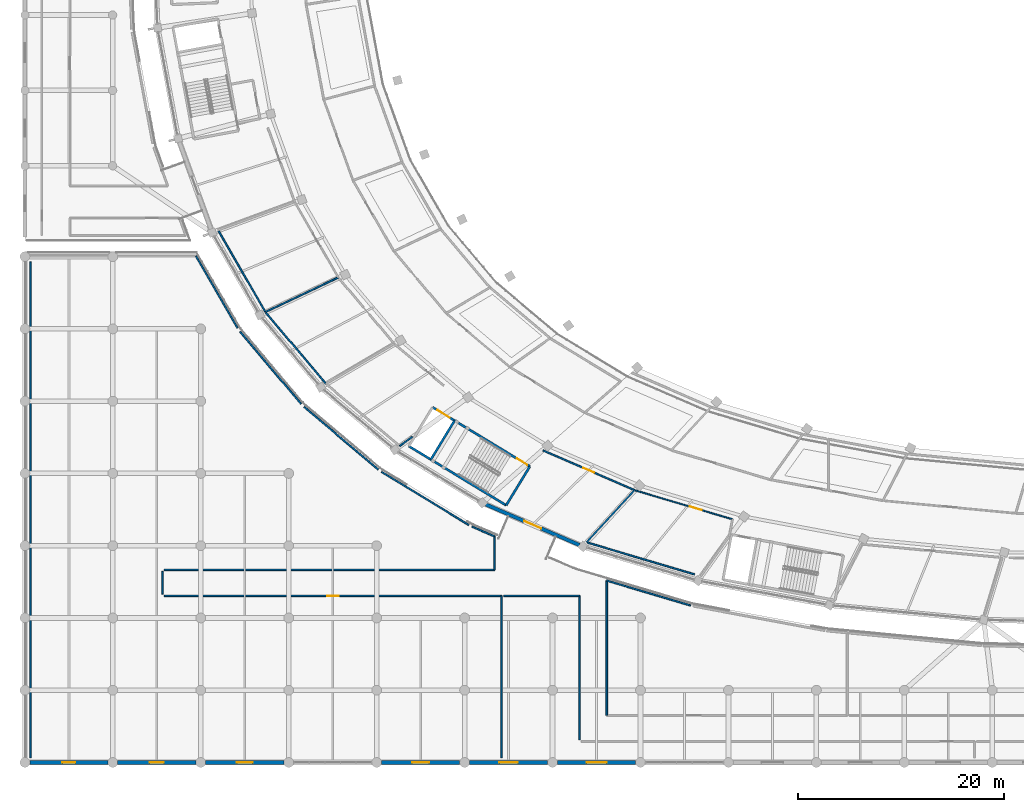
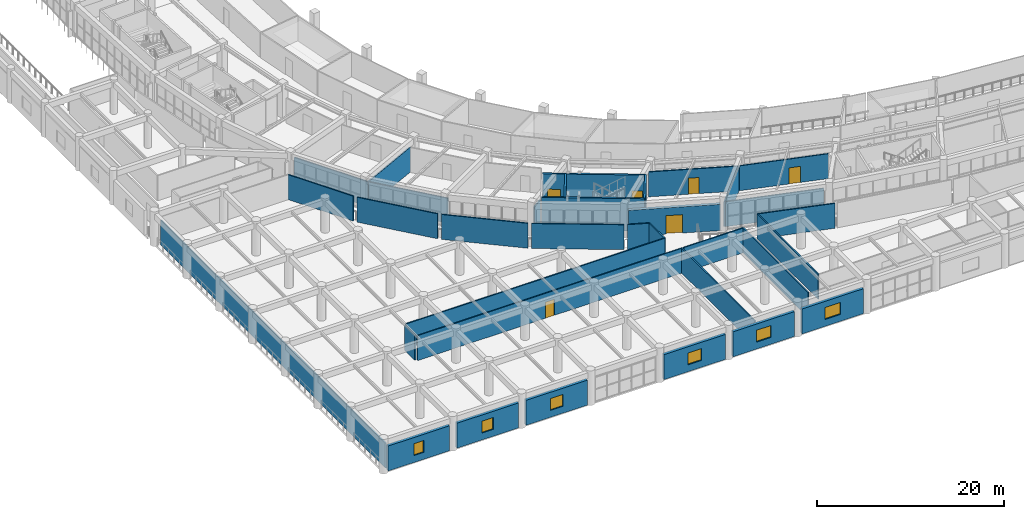
# One storey, part 89 of 141: 34 walls, 6 doors, 6 windows, 12 openings.
"""IFC4 building model written with IfcOpenShell, lengths in metres."""

from ifc_helpers import new_model, si_unit, direction, frame, frame_2d, origin, place, context, subcontext, project, spatial, rectangle, extrude, material, layer, layer_set, type_object, element, fill, save


model = new_model("IFC4")

# Units and contexts
model_context = context("Model", 3, precision=1e-05, world=origin(), true_north=direction((0.0, 1.0)))
body_context = subcontext(model_context, "Body", "Model", "MODEL_VIEW")
ifc_project = project(units=[si_unit("LENGTHUNIT", "METRE"), si_unit("AREAUNIT", "SQUARE_METRE"), si_unit("VOLUMEUNIT", "CUBIC_METRE"), si_unit("PLANEANGLEUNIT", "RADIAN"), si_unit("MASSUNIT", "GRAM", prefix="KILO")], contexts=[model_context])

# Site, building, storey
site_placement = place(None, origin())
site = spatial("IfcSite", under=ifc_project, at=site_placement, CompositionType="ELEMENT")
building_placement = place(site_placement, origin())
building = spatial("IfcBuilding", under=site, at=building_placement, Name="Mphavela Belvedere Stadium", CompositionType="ELEMENT")
storey_placement = place(building_placement, frame((0.0, 0.0, 14.699951171875)))
storey = spatial("IfcBuildingStorey", under=building, at=storey_placement, Name="L03", CompositionType="ELEMENT", Elevation=14.699951171875)

# Walls
ifc_material_1 = material(Name="Concrete C40/50", Category="concrete")
ifc_layer_1 = layer(ifc_material_1, 0.219970703125)
ifc_layer_set_1 = layer_set([ifc_layer_1], Name="Concrete C40/50")
wall_type_1 = type_object("IfcWallType", Name="WAL-CORE-SHEAR-220", PredefinedType="SHEAR", material=ifc_layer_set_1)
wall_1_placement = place(storey_placement, frame((46.62060546875, 24.908935546875, 0.0), z_axis=(0.0, 0.0, 1.0), x_axis=(-0.854373055797, 0.519660159651, 0.0)))
element("IfcWall", 1, at=wall_1_placement, inside=storey, type_object=wall_type_1, Name="Core C10 shear wall L03 rear", PredefinedType="SHEAR", context=body_context, shape_type="SweptSolid", body=[
    extrude(rectangle(XDim=11.019775390625, YDim=0.219970703125, at=frame_2d((5.509765625, 0.0))), origin(), (0.0, 0.0, 1.0), 4.25),
])
wall_2_placement = place(storey_placement, frame((48.91259765625, 28.676513671875, 0.0), z_axis=(0.0, 0.0, 1.0), x_axis=(-0.519729151243, -0.854331088834, 0.0)))
element("IfcWall", 2, at=wall_2_placement, inside=storey, type_object=wall_type_1, Name="Core C10 shear wall L03 left", PredefinedType="SHEAR", context=body_context, shape_type="SweptSolid", body=[
    extrude(rectangle(XDim=4.409912109375, YDim=0.219970703125, at=frame_2d((2.205078125, 0.0))), origin(), (0.0, 0.0, 1.0), 4.25),
])

# Wall, openings, doors
wall_3_placement = place(storey_placement, frame((48.91259765625, 28.676513671875, 0.0), z_axis=(0.0, 0.0, 1.0), x_axis=(-0.854369202373, 0.51966649501, 0.0)))
wall_3 = element("IfcWall", 3, at=wall_3_placement, inside=storey, type_object=wall_type_1, Name="Core C10 shear wall L03 front", PredefinedType="SHEAR", context=body_context, shape_type="SweptSolid", body=[
    extrude(rectangle(XDim=11.020263671875, YDim=0.219970703125, at=frame_2d((5.51025390625, 0.0))), origin(), (0.0, 0.0, 1.0), 4.25),
])
opening_1_placement = place(wall_3_placement, frame((0.300048828125, 0.0, 0.0)))
opening_1 = element("IfcOpeningElement", 4, at=opening_1_placement, cuts=wall_3, Name="Opening SD-054", PredefinedType="OPENING", context=body_context, shape_type="SweptSolid", body=[
    extrude(rectangle(XDim=1.14990234375, YDim=2.14990234375, at=frame_2d((0.574951171875, 1.074951171875))), frame((0.0, 0.1201171875, 0.0), z_axis=(0.0, -1.0, 0.0), x_axis=(1.0, 0.0, 0.0)), (0.0, 0.0, 1.0), 0.239990234375),
])
opening_2_placement = place(wall_3_placement, frame((9.080078125, 0.0, 0.0)))
opening_2 = element("IfcOpeningElement", 5, at=opening_2_placement, cuts=wall_3, Name="Opening LD-054", PredefinedType="OPENING", context=body_context, shape_type="SweptSolid", body=[
    extrude(rectangle(XDim=1.39990234375, YDim=2.25, at=frame_2d((0.699951171875, 1.125))), frame((0.0, 0.1201171875, 0.0), z_axis=(0.0, -1.0, 0.0), x_axis=(1.0, 0.0, 0.0)), (0.0, 0.0, 1.0), 0.239990234375),
])
ifc_material_2 = material(Name="Heavy-duty stainless steel goods lift landing door", Category="steel")
door_type_1 = type_object("IfcDoorType", Name="DR-LIFT-SLIDE-1400", OperationType="NOTDEFINED", PredefinedType="DOOR", material=ifc_material_2)
door_1_placement = place(opening_2_placement, origin())
door_1 = element("IfcDoor", 6, at=door_1_placement, inside=storey, type_object=door_type_1, Name="Lift landing sliding door GL02 L03", OperationType="DOUBLE_DOOR_SLIDING", OverallHeight=2.25, OverallWidth=1.39990234375, PredefinedType="DOOR", context=body_context, shape_type="SweptSolid", body=[
    extrude(rectangle(XDim=1.39990234375, YDim=2.25, at=frame_2d((0.699951171875, 1.125))), frame((0.0, 0.02490234375, 0.0), z_axis=(0.0, -1.0, 0.0), x_axis=(1.0, 0.0, 0.0)), (0.0, 0.0, 1.0), 0.050048828125),
])
fill(opening_2, door_1)
ifc_material_3 = material(Name="Steel acoustic fire-resisting stair doorset", Category="steel")
door_type_2 = type_object("IfcDoorType", Name="DR-STAIR-FIRE-1150", OperationType="NOTDEFINED", PredefinedType="DOOR", material=ifc_material_3)
door_2_placement = place(opening_1_placement, origin())
door_2 = element("IfcDoor", 7, at=door_2_placement, inside=storey, type_object=door_type_2, Name="Escape stair fire door C10 L03", OperationType="SINGLE_SWING_RIGHT", OverallHeight=2.14990234375, OverallWidth=1.14990234375, PredefinedType="DOOR", context=body_context, shape_type="SweptSolid", body=[
    extrude(rectangle(XDim=1.14990234375, YDim=2.14990234375, at=frame_2d((0.574951171875, 1.074951171875))), frame((0.0, 0.02490234375, 0.0), z_axis=(0.0, -1.0, 0.0), x_axis=(1.0, 0.0, 0.0)), (0.0, 0.0, 1.0), 0.050048828125),
])
fill(opening_1, door_2)

# Wall
wall_4_placement = place(storey_placement, frame((41.6162109375, 33.114501953125, 0.0), z_axis=(0.0, 0.0, 1.0), x_axis=(-0.519664162523, -0.854370621095, 0.0)))
element("IfcWall", 8, at=wall_4_placement, inside=storey, type_object=wall_type_1, Name="Core C10 shear wall L03 div", PredefinedType="SHEAR", context=body_context, shape_type="SweptSolid", body=[
    extrude(rectangle(XDim=4.41015625, YDim=0.219970703125, at=frame_2d((2.205078125, 0.0))), origin(), (0.0, 0.0, 1.0), 4.25),
])

# Wall, opening, door
ifc_material_4 = material(Name="Honed ashlar limestone masonry", Category="masonry")
ifc_layer_2 = layer(ifc_material_4, 0.35009765625)
ifc_layer_set_2 = layer_set([ifc_layer_2], Name="Honed ashlar limestone masonry")
wall_type_2 = type_object("IfcWallType", Name="WAL-EXT-ASHLAR-350", PredefinedType="STANDARD", material=ifc_layer_set_2)
wall_5_placement = place(storey_placement, frame((53.72021484375, 21.05712890625, 0.0), z_axis=(0.0, 0.0, 1.0), x_axis=(-0.917502782842, 0.397729359587, 0.0)))
wall_5 = element("IfcWall", 9, at=wall_5_placement, inside=storey, type_object=wall_type_2, Name="Classical link portal wall L03-32", PredefinedType="STANDARD", context=body_context, shape_type="SweptSolid", body=[
    extrude(rectangle(XDim=9.89013671875, YDim=0.35009765625, at=frame_2d((4.945068359375, 0.0))), origin(), (0.0, 0.0, 1.0), 3.420166015625),
])
opening_3_placement = place(wall_5_placement, frame((4.045166015625, 0.0, 0.0)))
opening_3 = element("IfcOpeningElement", 10, at=opening_3_placement, cuts=wall_5, Name="Opening ID-9331", PredefinedType="OPENING", context=body_context, shape_type="SweptSolid", body=[
    extrude(rectangle(XDim=1.800048828125, YDim=2.39990234375, at=frame_2d((0.89990234375, 1.199951171875))), frame((0.0, 0.18505859375, 0.0), z_axis=(0.0, -1.0, 0.0), x_axis=(1.0, 0.0, 0.0)), (0.0, 0.0, 1.0), 0.3701171875),
])
ifc_material_5 = material(Name="Glazed bronze-anodised steel exit doorset", Category="steel")
door_type_3 = type_object("IfcDoorType", Name="DR-EXT-01", OperationType="NOTDEFINED", PredefinedType="DOOR", material=ifc_material_5)
door_3_placement = place(opening_3_placement, origin())
door_3 = element("IfcDoor", 11, at=door_3_placement, inside=storey, type_object=door_type_3, Name="Wing promenade link doorset L03-32", OperationType="DOUBLE_DOOR_SINGLE_SWING", OverallHeight=2.39990234375, OverallWidth=1.800048828125, PredefinedType="DOOR", context=body_context, shape_type="SweptSolid", body=[
    extrude(rectangle(XDim=1.800048828125, YDim=2.39990234375, at=frame_2d((0.89990234375, 1.199951171875))), frame((0.0, 0.02490234375, 0.0), z_axis=(0.0, -1.0, 0.0), x_axis=(1.0, 0.0, 0.0)), (0.0, 0.0, 1.0), 0.050048828125),
])
fill(opening_3, door_3)

# Wall, opening, window
wall_6_placement = place(storey_placement, frame((8.0458984375, 0.0, 0.0), z_axis=(0.0, 0.0, 1.0), x_axis=(-1.0, 0.0, 0.0)))
wall_6 = element("IfcWall", 12, at=wall_6_placement, inside=storey, type_object=wall_type_2, Name="South Axial Triumphal Peristyle Portico outer facade bay L03-01", PredefinedType="STANDARD", context=body_context, shape_type="SweptSolid", body=[
    extrude(rectangle(XDim=7.572998046875, YDim=0.35009765625, at=frame_2d((3.78662109375, 0.0))), origin(), (0.0, 0.0, 1.0), 3.260009765625),
])
opening_4_placement = place(wall_6_placement, frame((3.16650390625, 0.0, 0.89990234375)))
opening_4 = element("IfcOpeningElement", 13, at=opening_4_placement, cuts=wall_6, Name="Opening W-090", PredefinedType="OPENING", context=body_context, shape_type="SweptSolid", body=[
    extrude(rectangle(XDim=1.239990234375, YDim=1.550048828125, at=frame_2d((0.6201171875, 0.77490234375))), frame((0.0, 0.18505859375, 0.0), z_axis=(0.0, -1.0, 0.0), x_axis=(1.0, 0.0, 0.0)), (0.0, 0.0, 1.0), 0.3701171875),
])
ifc_material_6 = material(Name="Bronze-anodised thermally broken aluminium window", Category="aluminium")
window_type_1 = type_object("IfcWindowType", Name="WIN-EXT-02", PartitioningType="SINGLE_PANEL", PredefinedType="WINDOW", material=ifc_material_6)
window_1_placement = place(opening_4_placement, origin())
window_1 = element("IfcWindow", 14, at=window_1_placement, inside=storey, type_object=window_type_1, Name="South Axial Triumphal Peristyle Portico classical window W-090", OverallHeight=1.550048828125, OverallWidth=1.239990234375, PartitioningType="SINGLE_PANEL", PredefinedType="WINDOW", context=body_context, shape_type="SweptSolid", body=[
    extrude(rectangle(XDim=1.239990234375, YDim=1.550048828125, at=frame_2d((0.6201171875, 0.77490234375))), frame((0.0, 0.030029296875, 0.0), z_axis=(0.0, -1.0, 0.0), x_axis=(1.0, 0.0, 0.0)), (0.0, 0.0, 1.0), 0.06005859375),
])
fill(opening_4, window_1)

wall_7_placement = place(storey_placement, frame((16.56396484375, 0.0, 0.0), z_axis=(0.0, 0.0, 1.0), x_axis=(-1.0, 0.0, 0.0)))
wall_7 = element("IfcWall", 15, at=wall_7_placement, inside=storey, type_object=wall_type_2, Name="South Axial Triumphal Peristyle Portico outer facade bay L03-02", PredefinedType="STANDARD", context=body_context, shape_type="SweptSolid", body=[
    extrude(rectangle(XDim=7.572021484375, YDim=0.35009765625, at=frame_2d((3.7861328125, 0.0))), origin(), (0.0, 0.0, 1.0), 3.260009765625),
])
opening_5_placement = place(wall_7_placement, frame((3.095947265625, 0.0, 0.89990234375)))
opening_5 = element("IfcOpeningElement", 16, at=opening_5_placement, cuts=wall_7, Name="Opening W-091", PredefinedType="OPENING", context=body_context, shape_type="SweptSolid", body=[
    extrude(rectangle(XDim=1.3798828125, YDim=1.550048828125, at=frame_2d((0.68994140625, 0.77490234375))), frame((0.0, 0.18505859375, 0.0), z_axis=(0.0, -1.0, 0.0), x_axis=(1.0, 0.0, 0.0)), (0.0, 0.0, 1.0), 0.3701171875),
])
ifc_material_7 = material(Name="Bronze-anodised thermally broken aluminium window", Category="aluminium")
window_type_2 = type_object("IfcWindowType", Name="WIN-EXT-03", PartitioningType="SINGLE_PANEL", PredefinedType="WINDOW", material=ifc_material_7)
window_2_placement = place(opening_5_placement, origin())
window_2 = element("IfcWindow", 17, at=window_2_placement, inside=storey, type_object=window_type_2, Name="South Axial Triumphal Peristyle Portico classical window W-091", OverallHeight=1.550048828125, OverallWidth=1.3798828125, PartitioningType="SINGLE_PANEL", PredefinedType="WINDOW", context=body_context, shape_type="SweptSolid", body=[
    extrude(rectangle(XDim=1.3798828125, YDim=1.550048828125, at=frame_2d((0.68994140625, 0.77490234375))), frame((0.0, 0.030029296875, 0.0), z_axis=(0.0, -1.0, 0.0), x_axis=(1.0, 0.0, 0.0)), (0.0, 0.0, 1.0), 0.06005859375),
])
fill(opening_5, window_2)

wall_8_placement = place(storey_placement, frame((25.0830078125, 0.0, 0.0), z_axis=(0.0, 0.0, 1.0), x_axis=(-1.0, 0.0, 0.0)))
wall_8 = element("IfcWall", 18, at=wall_8_placement, inside=storey, type_object=wall_type_2, Name="South Axial Triumphal Peristyle Portico outer facade bay L03-03", PredefinedType="STANDARD", context=body_context, shape_type="SweptSolid", body=[
    extrude(rectangle(XDim=7.572998046875, YDim=0.35009765625, at=frame_2d((3.78662109375, 0.0))), origin(), (0.0, 0.0, 1.0), 3.260009765625),
])
opening_6_placement = place(wall_8_placement, frame((3.026611328125, 0.0, 0.89990234375)))
opening_6 = element("IfcOpeningElement", 19, at=opening_6_placement, cuts=wall_8, Name="Opening W-092", PredefinedType="OPENING", context=body_context, shape_type="SweptSolid", body=[
    extrude(rectangle(XDim=1.52001953125, YDim=1.550048828125, at=frame_2d((0.760009765625, 0.77490234375))), frame((0.0, 0.18505859375, 0.0), z_axis=(0.0, -1.0, 0.0), x_axis=(1.0, 0.0, 0.0)), (0.0, 0.0, 1.0), 0.3701171875),
])
ifc_material_8 = material(Name="Bronze-anodised thermally broken aluminium window", Category="aluminium")
window_type_3 = type_object("IfcWindowType", Name="WIN-EXT-04", PartitioningType="SINGLE_PANEL", PredefinedType="WINDOW", material=ifc_material_8)
window_3_placement = place(opening_6_placement, origin())
window_3 = element("IfcWindow", 20, at=window_3_placement, inside=storey, type_object=window_type_3, Name="South Axial Triumphal Peristyle Portico classical window W-092", OverallHeight=1.550048828125, OverallWidth=1.52001953125, PartitioningType="SINGLE_PANEL", PredefinedType="WINDOW", context=body_context, shape_type="SweptSolid", body=[
    extrude(rectangle(XDim=1.52001953125, YDim=1.550048828125, at=frame_2d((0.760009765625, 0.77490234375))), frame((0.0, 0.030029296875, 0.0), z_axis=(0.0, -1.0, 0.0), x_axis=(1.0, 0.0, 0.0)), (0.0, 0.0, 1.0), 0.06005859375),
])
fill(opening_6, window_3)

wall_9_placement = place(storey_placement, frame((42.1201171875, 0.0, 0.0), z_axis=(0.0, 0.0, 1.0), x_axis=(-1.0, 0.0, 0.0)))
wall_9 = element("IfcWall", 21, at=wall_9_placement, inside=storey, type_object=wall_type_2, Name="South Axial Triumphal Peristyle Portico outer facade bay L03-05", PredefinedType="STANDARD", context=body_context, shape_type="SweptSolid", body=[
    extrude(rectangle(XDim=7.572998046875, YDim=0.35009765625, at=frame_2d((3.78662109375, 0.0))), origin(), (0.0, 0.0, 1.0), 3.260009765625),
])
opening_7_placement = place(wall_9_placement, frame((2.95654296875, 0.0, 0.89990234375)))
opening_7 = element("IfcOpeningElement", 22, at=opening_7_placement, cuts=wall_9, Name="Opening W-093", PredefinedType="OPENING", context=body_context, shape_type="SweptSolid", body=[
    extrude(rectangle(XDim=1.659912109375, YDim=1.550048828125, at=frame_2d((0.830078125, 0.77490234375))), frame((0.0, 0.18505859375, 0.0), z_axis=(0.0, -1.0, 0.0), x_axis=(1.0, 0.0, 0.0)), (0.0, 0.0, 1.0), 0.3701171875),
])
ifc_material_9 = material(Name="Bronze-anodised thermally broken aluminium window", Category="aluminium")
window_type_4 = type_object("IfcWindowType", Name="WIN-EXT-05", PartitioningType="SINGLE_PANEL", PredefinedType="WINDOW", material=ifc_material_9)
window_4_placement = place(opening_7_placement, origin())
window_4 = element("IfcWindow", 23, at=window_4_placement, inside=storey, type_object=window_type_4, Name="South Axial Triumphal Peristyle Portico classical window W-093", OverallHeight=1.550048828125, OverallWidth=1.659912109375, PartitioningType="SINGLE_PANEL", PredefinedType="WINDOW", context=body_context, shape_type="SweptSolid", body=[
    extrude(rectangle(XDim=1.659912109375, YDim=1.550048828125, at=frame_2d((0.830078125, 0.77490234375))), frame((0.0, 0.030029296875, 0.0), z_axis=(0.0, -1.0, 0.0), x_axis=(1.0, 0.0, 0.0)), (0.0, 0.0, 1.0), 0.06005859375),
])
fill(opening_7, window_4)

wall_10_placement = place(storey_placement, frame((50.637939453125, 0.0, 0.0), z_axis=(0.0, 0.0, 1.0), x_axis=(-1.0, 0.0, 0.0)))
wall_10 = element("IfcWall", 24, at=wall_10_placement, inside=storey, type_object=wall_type_2, Name="South Axial Triumphal Peristyle Portico outer facade bay L03-06", PredefinedType="STANDARD", context=body_context, shape_type="SweptSolid", body=[
    extrude(rectangle(XDim=7.572021484375, YDim=0.35009765625, at=frame_2d((3.7861328125, 0.0))), origin(), (0.0, 0.0, 1.0), 3.260009765625),
])
opening_8_placement = place(wall_10_placement, frame((2.885986328125, 0.0, 0.89990234375)))
opening_8 = element("IfcOpeningElement", 25, at=opening_8_placement, cuts=wall_10, Name="Opening W-094", PredefinedType="OPENING", context=body_context, shape_type="SweptSolid", body=[
    extrude(rectangle(XDim=1.800048828125, YDim=1.550048828125, at=frame_2d((0.89990234375, 0.77490234375))), frame((0.0, 0.18505859375, 0.0), z_axis=(0.0, -1.0, 0.0), x_axis=(1.0, 0.0, 0.0)), (0.0, 0.0, 1.0), 0.3701171875),
])
ifc_material_10 = material(Name="Bronze-anodised thermally broken aluminium window", Category="aluminium")
window_type_5 = type_object("IfcWindowType", Name="WIN-EXT-06", PartitioningType="SINGLE_PANEL", PredefinedType="WINDOW", material=ifc_material_10)
window_5_placement = place(opening_8_placement, origin())
window_5 = element("IfcWindow", 26, at=window_5_placement, inside=storey, type_object=window_type_5, Name="South Axial Triumphal Peristyle Portico classical window W-094", OverallHeight=1.550048828125, OverallWidth=1.800048828125, PartitioningType="SINGLE_PANEL", PredefinedType="WINDOW", context=body_context, shape_type="SweptSolid", body=[
    extrude(rectangle(XDim=1.800048828125, YDim=1.550048828125, at=frame_2d((0.89990234375, 0.77490234375))), frame((0.0, 0.030029296875, 0.0), z_axis=(0.0, -1.0, 0.0), x_axis=(1.0, 0.0, 0.0)), (0.0, 0.0, 1.0), 0.06005859375),
])
fill(opening_8, window_5)

wall_11_placement = place(storey_placement, frame((59.156982421875, 0.0, 0.0), z_axis=(0.0, 0.0, 1.0), x_axis=(-1.0, 0.0, 0.0)))
wall_11 = element("IfcWall", 27, at=wall_11_placement, inside=storey, type_object=wall_type_2, Name="South Axial Triumphal Peristyle Portico outer facade bay L03-07", PredefinedType="STANDARD", context=body_context, shape_type="SweptSolid", body=[
    extrude(rectangle(XDim=7.572998046875, YDim=0.35009765625, at=frame_2d((3.78662109375, 0.0))), origin(), (0.0, 0.0, 1.0), 3.260009765625),
])
opening_9_placement = place(wall_11_placement, frame((2.81640625, 0.0, 0.89990234375)))
opening_9 = element("IfcOpeningElement", 28, at=opening_9_placement, cuts=wall_11, Name="Opening W-095", PredefinedType="OPENING", context=body_context, shape_type="SweptSolid", body=[
    extrude(rectangle(XDim=1.93994140625, YDim=1.550048828125, at=frame_2d((0.969970703125, 0.77490234375))), frame((0.0, 0.18505859375, 0.0), z_axis=(0.0, -1.0, 0.0), x_axis=(1.0, 0.0, 0.0)), (0.0, 0.0, 1.0), 0.3701171875),
])
ifc_material_11 = material(Name="Bronze-anodised thermally broken aluminium window", Category="aluminium")
window_type_6 = type_object("IfcWindowType", Name="WIN-EXT-07", PartitioningType="SINGLE_PANEL", PredefinedType="WINDOW", material=ifc_material_11)
window_6_placement = place(opening_9_placement, origin())
window_6 = element("IfcWindow", 29, at=window_6_placement, inside=storey, type_object=window_type_6, Name="South Axial Triumphal Peristyle Portico classical window W-095", OverallHeight=1.550048828125, OverallWidth=1.93994140625, PartitioningType="SINGLE_PANEL", PredefinedType="WINDOW", context=body_context, shape_type="SweptSolid", body=[
    extrude(rectangle(XDim=1.93994140625, YDim=1.550048828125, at=frame_2d((0.969970703125, 0.77490234375))), frame((0.0, 0.030029296875, 0.0), z_axis=(0.0, -1.0, 0.0), x_axis=(1.0, 0.0, 0.0)), (0.0, 0.0, 1.0), 0.06005859375),
])
fill(opening_9, window_6)

# Wall, opening, door
ifc_material_12 = material(Name="Moisture-resistant sanitary partition assembly")
ifc_layer_3 = layer(ifc_material_12, 0.125)
ifc_layer_set_3 = layer_set([ifc_layer_3], Name="Moisture-resistant sanitary partition assembly")
wall_type_3 = type_object("IfcWallType", Name="WAL-PART-125", PredefinedType="PARTITIONING", material=ifc_layer_set_3)
wall_12_placement = place(storey_placement, frame((59.1337890625, 26.35009765625, 0.0), z_axis=(0.0, 0.0, 1.0), x_axis=(0.958661401763, -0.284549322211, 0.0)))
wall_12 = element("IfcWall", 30, at=wall_12_placement, inside=storey, type_object=wall_type_3, Name="Room L03-120 corridor partition", PredefinedType="PARTITIONING", context=body_context, shape_type="SweptSolid", body=[
    extrude(rectangle(XDim=9.80859375, YDim=0.125, at=frame_2d((4.904296875, 0.0))), origin(), (0.0, 0.0, 1.0), 3.25),
])
opening_10_placement = place(wall_12_placement, frame((5.486572265625, 0.0, 0.0)))
opening_10 = element("IfcOpeningElement", 31, at=opening_10_placement, cuts=wall_12, Name="Opening ID-297", PredefinedType="OPENING", context=body_context, shape_type="SweptSolid", body=[
    extrude(rectangle(XDim=1.219970703125, YDim=2.10009765625, at=frame_2d((0.60986328125, 1.050048828125))), frame((0.0, 0.072509765625, 0.0), z_axis=(0.0, -1.0, 0.0), x_axis=(1.0, 0.0, 0.0)), (0.0, 0.0, 1.0), 0.14501953125),
])
ifc_material_13 = material(Name="Hardwood acoustic timber doorset", Category="wood")
door_type_4 = type_object("IfcDoorType", Name="DR-INT-09", OperationType="NOTDEFINED", PredefinedType="DOOR", material=ifc_material_13)
door_4_placement = place(opening_10_placement, origin())
door_4 = element("IfcDoor", 32, at=door_4_placement, inside=storey, type_object=door_type_4, Name="Room L03-120 entrance door ID-297", OperationType="SINGLE_SWING_LEFT", OverallHeight=2.10009765625, OverallWidth=1.219970703125, PredefinedType="DOOR", context=body_context, shape_type="SweptSolid", body=[
    extrude(rectangle(XDim=1.219970703125, YDim=2.10009765625, at=frame_2d((0.60986328125, 1.050048828125))), frame((0.0, 0.02490234375, 0.0), z_axis=(0.0, -1.0, 0.0), x_axis=(1.0, 0.0, 0.0)), (0.0, 0.0, 1.0), 0.050048828125),
])
fill(opening_10, door_4)

wall_13_placement = place(storey_placement, frame((13.5, 16.139892578125, 0.0), z_axis=(0.0, 0.0, 1.0), x_axis=(1.0, 0.0, 0.0)))
wall_13 = element("IfcWall", 33, at=wall_13_placement, inside=storey, type_object=wall_type_3, Name="Room L03-166 corridor partition", PredefinedType="PARTITIONING", context=body_context, shape_type="SweptSolid", body=[
    extrude(rectangle(XDim=32.669921875, YDim=0.125, at=frame_2d((16.3349609375, 0.0))), origin(), (0.0, 0.0, 1.0), 3.25),
])
opening_11_placement = place(wall_13_placement, frame((15.784912109375, 0.0, 0.0)))
opening_11 = element("IfcOpeningElement", 34, at=opening_11_placement, cuts=wall_13, Name="Opening ID-402", PredefinedType="OPENING", context=body_context, shape_type="SweptSolid", body=[
    extrude(rectangle(XDim=1.10009765625, YDim=2.10009765625, at=frame_2d((0.550048828125, 1.050048828125))), frame((0.0, 0.072509765625, 0.0), z_axis=(0.0, -1.0, 0.0), x_axis=(1.0, 0.0, 0.0)), (0.0, 0.0, 1.0), 0.14501953125),
])
ifc_material_14 = material(Name="Hardwood acoustic timber doorset", Category="wood")
door_type_5 = type_object("IfcDoorType", Name="DR-INT-06", OperationType="NOTDEFINED", PredefinedType="DOOR", material=ifc_material_14)
door_5_placement = place(opening_11_placement, origin())
door_5 = element("IfcDoor", 35, at=door_5_placement, inside=storey, type_object=door_type_5, Name="Room L03-166 entrance door ID-402", OperationType="SINGLE_SWING_RIGHT", OverallHeight=2.10009765625, OverallWidth=1.10009765625, PredefinedType="DOOR", context=body_context, shape_type="SweptSolid", body=[
    extrude(rectangle(XDim=1.10009765625, YDim=2.10009765625, at=frame_2d((0.550048828125, 1.050048828125))), frame((0.0, 0.02490234375, 0.0), z_axis=(0.0, -1.0, 0.0), x_axis=(1.0, 0.0, 0.0)), (0.0, 0.0, 1.0), 0.050048828125),
])
fill(opening_11, door_5)

ifc_material_15 = material(Name="Acoustic gypsum stud partition assembly")
ifc_layer_4 = layer(ifc_material_15, 0.14990234375)
ifc_layer_set_4 = layer_set([ifc_layer_4], Name="Acoustic gypsum stud partition assembly")
wall_type_4 = type_object("IfcWallType", Name="WAL-PART-150", PredefinedType="PARTITIONING", material=ifc_layer_set_4)
wall_14_placement = place(storey_placement, frame((50.18017578125, 30.227783203125, 0.0), z_axis=(0.0, 0.0, 1.0), x_axis=(0.917508957037, -0.39771511633, 0.0)))
wall_14 = element("IfcWall", 36, at=wall_14_placement, inside=storey, type_object=wall_type_4, Name="Room L03-117 corridor partition", PredefinedType="PARTITIONING", context=body_context, shape_type="SweptSolid", body=[
    extrude(rectangle(XDim=9.67138671875, YDim=0.14990234375, at=frame_2d((4.835693359375, 0.0))), origin(), (0.0, 0.0, 1.0), 3.25),
])
opening_12_placement = place(wall_14_placement, frame((4.265625, 0.0, 0.0)))
opening_12 = element("IfcOpeningElement", 37, at=opening_12_placement, cuts=wall_14, Name="Opening ID-295", PredefinedType="OPENING", context=body_context, shape_type="SweptSolid", body=[
    extrude(rectangle(XDim=1.139892578125, YDim=2.10009765625, at=frame_2d((0.56982421875, 1.050048828125))), frame((0.0, 0.0849609375, 0.0), z_axis=(0.0, -1.0, 0.0), x_axis=(1.0, 0.0, 0.0)), (0.0, 0.0, 1.0), 0.169921875),
])
ifc_material_16 = material(Name="Hardwood acoustic timber doorset", Category="wood")
door_type_6 = type_object("IfcDoorType", Name="DR-INT-07", OperationType="NOTDEFINED", PredefinedType="DOOR", material=ifc_material_16)
door_6_placement = place(opening_12_placement, origin())
door_6 = element("IfcDoor", 38, at=door_6_placement, inside=storey, type_object=door_type_6, Name="Room L03-117 entrance door ID-295", OperationType="SINGLE_SWING_LEFT", OverallHeight=2.10009765625, OverallWidth=1.139892578125, PredefinedType="DOOR", context=body_context, shape_type="SweptSolid", body=[
    extrude(rectangle(XDim=1.139892578125, YDim=2.10009765625, at=frame_2d((0.56982421875, 1.050048828125))), frame((0.0, 0.02490234375, 0.0), z_axis=(0.0, -1.0, 0.0), x_axis=(1.0, 0.0, 0.0)), (0.0, 0.0, 1.0), 0.050048828125),
])
fill(opening_12, door_6)

# Walls
wall_15_placement = place(storey_placement, frame((30.35888671875, 46.98095703125, 0.0), z_axis=(0.0, 0.0, 1.0), x_axis=(-0.903854859666, -0.427839213559, 0.0)))
element("IfcWall", 39, at=wall_15_placement, inside=storey, type_object=wall_type_4, Name="Room divider partition L03-0518", PredefinedType="PARTITIONING", context=body_context, shape_type="SweptSolid", body=[
    extrude(rectangle(XDim=7.814208984375, YDim=0.14990234375, at=frame_2d((3.9072265625, 0.0))), origin(), (0.0, 0.0, 1.0), 3.25),
])
wall_16_placement = place(storey_placement, frame((23.2958984375, 43.6376953125, 0.0), z_axis=(0.0, 0.0, 1.0), x_axis=(-0.500574107164, 0.865693689036, 0.0)))
element("IfcWall", 40, at=wall_16_placement, inside=storey, type_object=wall_type_4, Name="Room divider partition L03-0519", PredefinedType="PARTITIONING", context=body_context, shape_type="SweptSolid", body=[
    extrude(rectangle(XDim=9.080322265625, YDim=0.14990234375, at=frame_2d((4.5400390625, 0.0))), origin(), (0.0, 0.0, 1.0), 3.25),
])
wall_17_placement = place(storey_placement, frame((29.1591796875, 36.684814453125, 0.0), z_axis=(0.0, 0.0, 1.0), x_axis=(-0.645166061073, 0.764042376861, 0.0)))
element("IfcWall", 41, at=wall_17_placement, inside=storey, type_object=wall_type_4, Name="Room divider partition L03-0523", PredefinedType="PARTITIONING", context=body_context, shape_type="SweptSolid", body=[
    extrude(rectangle(XDim=9.013916015625, YDim=0.14990234375, at=frame_2d((4.5068359375, 0.0))), origin(), (0.0, 0.0, 1.0), 3.25),
])
wall_18_placement = place(storey_placement, frame((37.538330078125, 31.54833984375, 0.0), z_axis=(0.0, 0.0, 1.0), x_axis=(-0.812848600764, -0.582475022844, 0.0)))
element("IfcWall", 42, at=wall_18_placement, inside=storey, type_object=wall_type_4, Name="Room divider partition L03-0526", PredefinedType="PARTITIONING", context=body_context, shape_type="SweptSolid", body=[
    extrude(rectangle(XDim=1.5302734375, YDim=0.14990234375, at=frame_2d((0.76513671875, 0.0))), origin(), (0.0, 0.0, 1.0), 3.25),
])
wall_19_placement = place(storey_placement, frame((59.0537109375, 26.38134765625, 0.0), z_axis=(0.0, 0.0, 1.0), x_axis=(-0.677844539823, -0.735205263741, 0.0)))
element("IfcWall", 43, at=wall_19_placement, inside=storey, type_object=wall_type_4, Name="Room divider partition L03-0532", PredefinedType="PARTITIONING", context=body_context, shape_type="SweptSolid", body=[
    extrude(rectangle(XDim=6.86962890625, YDim=0.14990234375, at=frame_2d((3.434814453125, 0.0))), origin(), (0.0, 0.0, 1.0), 3.25),
])
wall_20_placement = place(storey_placement, frame((64.86083984375, 18.2216796875, 0.0), z_axis=(0.0, 0.0, 1.0), x_axis=(-0.958658110998, 0.284560408733, 0.0)))
element("IfcWall", 44, at=wall_20_placement, inside=storey, type_object=wall_type_4, Name="Room divider partition L03-0537", PredefinedType="PARTITIONING", context=body_context, shape_type="SweptSolid", body=[
    extrude(rectangle(XDim=10.828369140625, YDim=0.14990234375, at=frame_2d((5.4140625, 0.0))), origin(), (0.0, 0.0, 1.0), 3.25),
])
wall_21_placement = place(storey_placement, frame((16.5673828125, 49.050048828125, 0.0), z_axis=(0.0, 0.0, 1.0), x_axis=(0.500545605998, -0.865710168773, 0.0)))
element("IfcWall", 45, at=wall_21_placement, inside=storey, type_object=wall_type_4, Name="Room divider partition L03-0792", PredefinedType="PARTITIONING", context=body_context, shape_type="SweptSolid", body=[
    extrude(rectangle(XDim=8.04296875, YDim=0.14990234375, at=frame_2d((4.021484375, 0.0))), origin(), (0.0, 0.0, 1.0), 3.25),
])
wall_22_placement = place(storey_placement, frame((20.847412109375, 41.7255859375, 0.0), z_axis=(0.0, 0.0, 1.0), x_axis=(0.645180125691, -0.764030500316, 0.0)))
element("IfcWall", 46, at=wall_22_placement, inside=storey, type_object=wall_type_4, Name="Room divider partition L03-0793", PredefinedType="PARTITIONING", context=body_context, shape_type="SweptSolid", body=[
    extrude(rectangle(XDim=9.1513671875, YDim=0.14990234375, at=frame_2d((4.57568359375, 0.0))), origin(), (0.0, 0.0, 1.0), 3.25),
])
wall_23_placement = place(storey_placement, frame((27.04931640625, 34.435791015625, 0.0), z_axis=(0.0, 0.0, 1.0), x_axis=(0.76426547638, -0.644901761212, 0.0)))
element("IfcWall", 47, at=wall_23_placement, inside=storey, type_object=wall_type_4, Name="Room divider partition L03-0794", PredefinedType="PARTITIONING", context=body_context, shape_type="SweptSolid", body=[
    extrude(rectangle(XDim=9.3984375, YDim=0.14990234375, at=frame_2d((4.69921875, 0.0))), origin(), (0.0, 0.0, 1.0), 3.25),
])
wall_24_placement = place(storey_placement, frame((34.544921875, 28.149658203125, 0.0), z_axis=(0.0, 0.0, 1.0), x_axis=(0.854333268174, -0.519725568826, 0.0)))
element("IfcWall", 48, at=wall_24_placement, inside=storey, type_object=wall_type_4, Name="Room divider partition L03-0795", PredefinedType="PARTITIONING", context=body_context, shape_type="SweptSolid", body=[
    extrude(rectangle(XDim=9.90185546875, YDim=0.14990234375, at=frame_2d((4.950927734375, 0.0))), origin(), (0.0, 0.0, 1.0), 3.25),
])
wall_25_placement = place(storey_placement, frame((43.3095703125, 22.845458984375, 0.0), z_axis=(0.0, 0.0, 1.0), x_axis=(0.917484400903, -0.397771761314, 0.0)))
element("IfcWall", 49, at=wall_25_placement, inside=storey, type_object=wall_type_4, Name="Room divider partition L03-0796", PredefinedType="PARTITIONING", context=body_context, shape_type="SweptSolid", body=[
    extrude(rectangle(XDim=2.37646484375, YDim=0.14990234375, at=frame_2d((1.188232421875, 0.0))), origin(), (0.0, 0.0, 1.0), 3.25),
])
wall_26_placement = place(storey_placement, frame((45.489990234375, 21.900146484375, 0.0), z_axis=(0.0, 0.0, 1.0), x_axis=(0.0, -1.0, 0.0)))
element("IfcWall", 50, at=wall_26_placement, inside=storey, type_object=wall_type_4, Name="Room divider partition L03-0797", PredefinedType="PARTITIONING", context=body_context, shape_type="SweptSolid", body=[
    extrude(rectangle(XDim=3.240234375, YDim=0.14990234375, at=frame_2d((1.6201171875, 0.0))), origin(), (0.0, 0.0, 1.0), 3.25),
])
wall_27_placement = place(storey_placement, frame((45.489990234375, 18.659912109375, 0.0), z_axis=(0.0, 0.0, 1.0), x_axis=(-0.999999999738, -2.2884168e-05, 0.0)))
element("IfcWall", 51, at=wall_27_placement, inside=storey, type_object=wall_type_4, Name="Room divider partition L03-0798", PredefinedType="PARTITIONING", context=body_context, shape_type="SweptSolid", body=[
    extrude(rectangle(XDim=32.005615234375, YDim=0.14990234375, at=frame_2d((16.0029296875, 0.0))), origin(), (0.0, 0.0, 1.0), 3.25),
])
wall_28_placement = place(storey_placement, frame((13.340087890625, 18.5, 0.0), z_axis=(0.0, 0.0, 1.0), x_axis=(0.0, -1.0, 0.0)))
element("IfcWall", 52, at=wall_28_placement, inside=storey, type_object=wall_type_4, Name="Room divider partition L03-0799", PredefinedType="PARTITIONING", context=body_context, shape_type="SweptSolid", body=[
    extrude(rectangle(XDim=2.199951171875, YDim=0.14990234375, at=frame_2d((1.10009765625, 0.0))), origin(), (0.0, 0.0, 1.0), 3.25),
])
wall_29_placement = place(storey_placement, frame((46.169921875, 16.139892578125, 0.0), z_axis=(0.0, 0.0, 1.0), x_axis=(0.0, -1.0, 0.0)))
element("IfcWall", 53, at=wall_29_placement, inside=storey, type_object=wall_type_4, Name="Room divider partition L03-0800", PredefinedType="PARTITIONING", context=body_context, shape_type="SweptSolid", body=[
    extrude(rectangle(XDim=15.68994140625, YDim=0.14990234375, at=frame_2d((7.844970703125, 0.0))), origin(), (0.0, 0.0, 1.0), 3.25),
])
wall_30_placement = place(storey_placement, frame((0.550048828125, 0.449951171875, 0.0), z_axis=(0.0, 0.0, 1.0), x_axis=(0.0, 1.0, 0.0)))
element("IfcWall", 54, at=wall_30_placement, inside=storey, type_object=wall_type_4, Name="Room divider partition L03-0801", PredefinedType="PARTITIONING", context=body_context, shape_type="SweptSolid", body=[
    extrude(rectangle(XDim=48.050048828125, YDim=0.14990234375, at=frame_2d((24.02490234375, 0.0))), origin(), (0.0, 0.0, 1.0), 3.25),
])
wall_31_placement = place(storey_placement, frame((53.739990234375, 16.139892578125, 0.0), z_axis=(0.0, 0.0, 1.0), x_axis=(0.0, -1.0, 0.0)))
element("IfcWall", 55, at=wall_31_placement, inside=storey, type_object=wall_type_4, Name="Room divider partition L03-0803", PredefinedType="PARTITIONING", context=body_context, shape_type="SweptSolid", body=[
    extrude(rectangle(XDim=13.93994140625, YDim=0.14990234375, at=frame_2d((6.969970703125, 0.0))), origin(), (0.0, 0.0, 1.0), 3.25),
])
wall_32_placement = place(storey_placement, frame((46.3701171875, 16.139892578125, 0.0), z_axis=(0.0, 0.0, 1.0), x_axis=(1.0, 0.0, 0.0)))
element("IfcWall", 56, at=wall_32_placement, inside=storey, type_object=wall_type_4, Name="Room divider partition L03-0805", PredefinedType="PARTITIONING", context=body_context, shape_type="SweptSolid", body=[
    extrude(rectangle(XDim=7.369873046875, YDim=0.14990234375, at=frame_2d((3.68505859375, 0.0))), origin(), (0.0, 0.0, 1.0), 3.25),
])
wall_33_placement = place(storey_placement, frame((56.360107421875, 4.56005859375, 0.0), z_axis=(0.0, 0.0, 1.0), x_axis=(0.0, 1.0, 0.0)))
element("IfcWall", 57, at=wall_33_placement, inside=storey, type_object=wall_type_4, Name="Room divider partition L03-0823", PredefinedType="PARTITIONING", context=body_context, shape_type="SweptSolid", body=[
    extrude(rectangle(XDim=13.058837890625, YDim=0.14990234375, at=frame_2d((6.529296875, 0.0))), origin(), (0.0, 0.0, 1.0), 3.25),
])
wall_34_placement = place(storey_placement, frame((56.360107421875, 17.618896484375, 0.0), z_axis=(0.0, 0.0, 1.0), x_axis=(0.95866000112, -0.284554041006, 0.0)))
element("IfcWall", 58, at=wall_34_placement, inside=storey, type_object=wall_type_4, Name="Room divider partition L03-0824", PredefinedType="PARTITIONING", context=body_context, shape_type="SweptSolid", body=[
    extrude(rectangle(XDim=8.477783203125, YDim=0.14990234375, at=frame_2d((4.23876953125, 0.0))), origin(), (0.0, 0.0, 1.0), 3.25),
])

save(model, "model.ifc")
